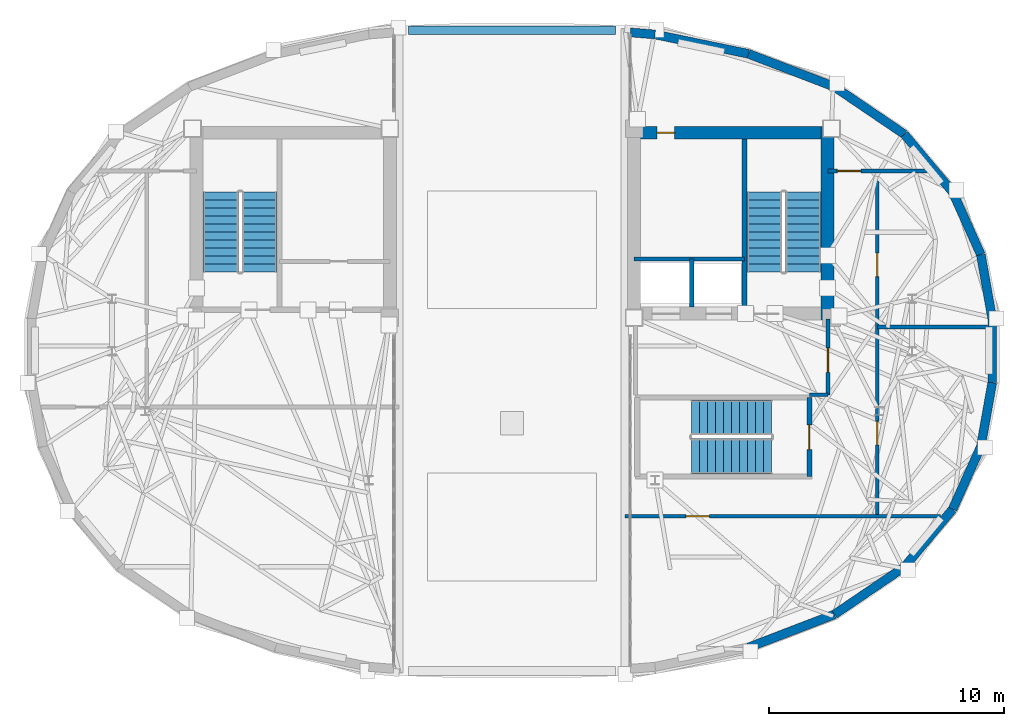
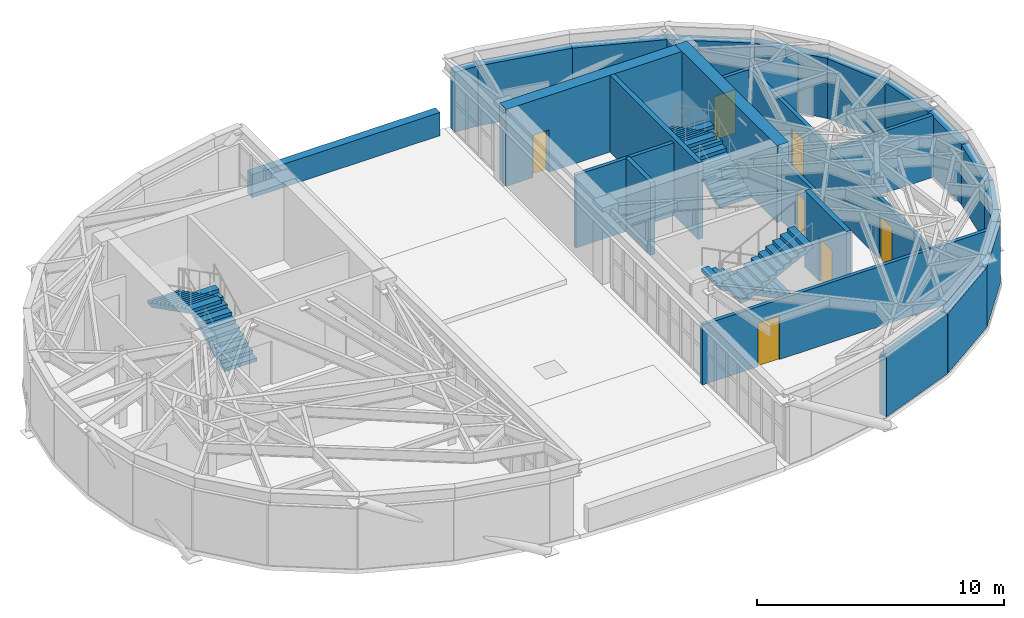
# One storey, part 10 of 13: 26 walls, 7 doors, 6 stair flights, 7 openings, 3 elements without a shape of their own.
"""IFC4 building model written with IfcOpenShell, lengths in metres."""

from ifc_helpers import new_model, si_unit, direction, frame, frame_2d, origin, place, context, subcontext, project, spatial, polyline, rectangle, outline, extrude, material, layer, layer_set, type_object, element, fill, aggregate, save


model = new_model("IFC4")

# Units and contexts
model_context = context("Model", 3, precision=1e-05, world=origin(), true_north=direction((0.0, 1.0)))
body_context = subcontext(model_context, "Body", "Model", "MODEL_VIEW")
ifc_project = project(units=[si_unit("LENGTHUNIT", "METRE"), si_unit("AREAUNIT", "SQUARE_METRE"), si_unit("VOLUMEUNIT", "CUBIC_METRE"), si_unit("PLANEANGLEUNIT", "RADIAN"), si_unit("MASSUNIT", "GRAM", prefix="KILO")], contexts=[model_context])

# Site, building, storey
site_placement = place(None, origin())
site = spatial("IfcSite", under=ifc_project, at=site_placement, CompositionType="ELEMENT")
building_placement = place(site_placement, origin())
building = spatial("IfcBuilding", under=site, at=building_placement, Name="Keldmark Tower", CompositionType="ELEMENT")
storey_placement = place(building_placement, frame((0.0, 0.0, 269.199951171875)))
storey = spatial("IfcBuildingStorey", under=building, at=storey_placement, Name="L76", CompositionType="ELEMENT", Elevation=269.199951171875)

# Walls
ifc_material_1 = material(Name="Kasota Buff Limestone Ashlar Masonry", Category="masonry")
ifc_layer_1 = layer(ifc_material_1, 0.3798828125)
ifc_layer_set_1 = layer_set([ifc_layer_1], Name="Kasota Buff Limestone Ashlar Masonry")
wall_type_1 = type_object("IfcWallType", Name="Crown Kasota Limestone Screen Wall 380 mm", PredefinedType="ELEMENTEDWALL", material=ifc_layer_set_1)
wall_1_placement = place(storey_placement, frame((10.068115234375, 12.633544921875, 0.0), z_axis=(0.0, 0.0, 1.0), x_axis=(-0.97915503901, 0.203114277148, 0.0)))
element("IfcWall", 1, at=wall_1_placement, inside=storey, type_object=wall_type_1, Name="L76 Crown Limestone Enclosure Wall E01", PredefinedType="ELEMENTEDWALL", context=body_context, shape_type="SweptSolid", body=[
    extrude(rectangle(XDim=4.062744140625, YDim=0.3798828125, at=frame_2d((2.03125, 0.0))), origin(), (0.0, 0.0, 1.0), 2.969970703125),
])
wall_2_placement = place(storey_placement, frame((13.729248046875, 11.227294921875, 0.0), z_axis=(0.0, 0.0, 1.0), x_axis=(-0.933505951982, 0.358561902068, 0.0)))
element("IfcWall", 2, at=wall_2_placement, inside=storey, type_object=wall_type_1, Name="L76 Crown Limestone Enclosure Wall E02", PredefinedType="ELEMENTEDWALL", context=body_context, shape_type="SweptSolid", body=[
    extrude(rectangle(XDim=3.921875, YDim=0.3798828125, at=frame_2d((1.9609375, 0.0))), origin(), (0.0, 0.0, 1.0), 2.969970703125),
])
wall_3_placement = place(storey_placement, frame((16.70263671875, 9.210205078125, 0.0), z_axis=(0.0, 0.0, 1.0), x_axis=(-0.827549057152, 0.56139340752, 0.0)))
element("IfcWall", 3, at=wall_3_placement, inside=storey, type_object=wall_type_1, Name="L76 Crown Limestone Enclosure Wall E03", PredefinedType="ELEMENTEDWALL", context=body_context, shape_type="SweptSolid", body=[
    extrude(rectangle(XDim=3.593017578125, YDim=0.3798828125, at=frame_2d((1.79638671875, 0.0))), origin(), (0.0, 0.0, 1.0), 2.969970703125),
])
wall_4_placement = place(storey_placement, frame((18.757568359375, 6.74755859375, 0.0), z_axis=(0.0, 0.0, 1.0), x_axis=(-0.640685893821, 0.76780309029, 0.0)))
element("IfcWall", 4, at=wall_4_placement, inside=storey, type_object=wall_type_1, Name="L76 Crown Limestone Enclosure Wall E04", PredefinedType="ELEMENTEDWALL", context=body_context, shape_type="SweptSolid", body=[
    extrude(rectangle(XDim=3.207275390625, YDim=0.3798828125, at=frame_2d((1.603515625, 0.0))), origin(), (0.0, 0.0, 1.0), 2.969970703125),
])
wall_5_placement = place(storey_placement, frame((19.958740234375, 4.08349609375, 0.0), z_axis=(0.0, 0.0, 1.0), x_axis=(-0.411031522025, 0.911621131777, 0.0)))
element("IfcWall", 5, at=wall_5_placement, inside=storey, type_object=wall_type_1, Name="L76 Crown Limestone Enclosure Wall E05", PredefinedType="ELEMENTEDWALL", context=body_context, shape_type="SweptSolid", body=[
    extrude(rectangle(XDim=2.92236328125, YDim=0.3798828125, at=frame_2d((1.461181640625, 0.0))), origin(), (0.0, 0.0, 1.0), 2.969970703125),
])
wall_6_placement = place(storey_placement, frame((20.442138671875, 1.36083984375, 0.0), z_axis=(0.0, 0.0, 1.0), x_axis=(-0.174812712861, 0.984601703951, 0.0)))
element("IfcWall", 6, at=wall_6_placement, inside=storey, type_object=wall_type_1, Name="L76 Crown Limestone Enclosure Wall E06", PredefinedType="ELEMENTEDWALL", context=body_context, shape_type="SweptSolid", body=[
    extrude(rectangle(XDim=2.76513671875, YDim=0.3798828125, at=frame_2d((1.382568359375, 0.0))), origin(), (0.0, 0.0, 1.0), 2.969970703125),
])
wall_7_placement = place(storey_placement, frame((20.442138671875, -1.36083984375, 0.0), z_axis=(0.0, 0.0, 1.0), x_axis=(0.0, 1.0, 0.0)))
element("IfcWall", 7, at=wall_7_placement, inside=storey, type_object=wall_type_1, Name="L76 Crown Limestone Enclosure Wall E07", PredefinedType="ELEMENTEDWALL", context=body_context, shape_type="SweptSolid", body=[
    extrude(rectangle(XDim=2.7216796875, YDim=0.3798828125, at=frame_2d((1.36083984375, 0.0))), origin(), (0.0, 0.0, 1.0), 2.969970703125),
])
wall_8_placement = place(storey_placement, frame((19.958740234375, -4.08349609375, 0.0), z_axis=(0.0, 0.0, 1.0), x_axis=(0.174812712861, 0.984601703951, 0.0)))
element("IfcWall", 8, at=wall_8_placement, inside=storey, type_object=wall_type_1, Name="L76 Crown Limestone Enclosure Wall E08", PredefinedType="ELEMENTEDWALL", context=body_context, shape_type="SweptSolid", body=[
    extrude(rectangle(XDim=2.76513671875, YDim=0.3798828125, at=frame_2d((1.382568359375, 0.0))), origin(), (0.0, 0.0, 1.0), 2.969970703125),
])
wall_9_placement = place(storey_placement, frame((18.757568359375, -6.74755859375, 0.0), z_axis=(0.0, 0.0, 1.0), x_axis=(0.411031522025, 0.911621131777, 0.0)))
element("IfcWall", 9, at=wall_9_placement, inside=storey, type_object=wall_type_1, Name="L76 Crown Limestone Enclosure Wall E09", PredefinedType="ELEMENTEDWALL", context=body_context, shape_type="SweptSolid", body=[
    extrude(rectangle(XDim=2.92236328125, YDim=0.3798828125, at=frame_2d((1.461181640625, 0.0))), origin(), (0.0, 0.0, 1.0), 2.969970703125),
])
wall_10_placement = place(storey_placement, frame((16.70263671875, -9.210205078125, 0.0), z_axis=(0.0, 0.0, 1.0), x_axis=(0.640685893821, 0.76780309029, 0.0)))
element("IfcWall", 10, at=wall_10_placement, inside=storey, type_object=wall_type_1, Name="L76 Crown Limestone Enclosure Wall E10", PredefinedType="ELEMENTEDWALL", context=body_context, shape_type="SweptSolid", body=[
    extrude(rectangle(XDim=3.207275390625, YDim=0.3798828125, at=frame_2d((1.603515625, 0.0))), origin(), (0.0, 0.0, 1.0), 2.969970703125),
])
wall_11_placement = place(storey_placement, frame((13.729248046875, -11.227294921875, 0.0), z_axis=(0.0, 0.0, 1.0), x_axis=(0.827549057152, 0.56139340752, 0.0)))
element("IfcWall", 11, at=wall_11_placement, inside=storey, type_object=wall_type_1, Name="L76 Crown Limestone Enclosure Wall E11", PredefinedType="ELEMENTEDWALL", context=body_context, shape_type="SweptSolid", body=[
    extrude(rectangle(XDim=3.593017578125, YDim=0.3798828125, at=frame_2d((1.79638671875, 0.0))), origin(), (0.0, 0.0, 1.0), 2.969970703125),
])
wall_12_placement = place(storey_placement, frame((10.068115234375, -12.633544921875, 0.0), z_axis=(0.0, 0.0, 1.0), x_axis=(0.933505951982, 0.358561902068, 0.0)))
element("IfcWall", 12, at=wall_12_placement, inside=storey, type_object=wall_type_1, Name="L76 Crown Limestone Enclosure Wall E12", PredefinedType="ELEMENTEDWALL", context=body_context, shape_type="SweptSolid", body=[
    extrude(rectangle(XDim=3.921875, YDim=0.3798828125, at=frame_2d((1.9609375, 0.0))), origin(), (0.0, 0.0, 1.0), 2.969970703125),
])
wall_13_placement = place(storey_placement, frame((6.090087890625, 13.458740234375, 0.0), z_axis=(0.0, 0.0, 1.0), x_axis=(-0.99666772043, 0.081568713692, 0.0)))
element("IfcWall", 13, at=wall_13_placement, inside=storey, type_object=wall_type_1, Name="L76 Crown Limestone Enclosure Wall E16", PredefinedType="ELEMENTEDWALL", context=body_context, shape_type="SweptSolid", body=[
    extrude(rectangle(XDim=1.053466796875, YDim=0.3798828125, at=frame_2d((0.52685546875, 0.0))), origin(), (0.0, 0.0, 1.0), 2.969970703125),
])
wall_14_placement = place(storey_placement, frame((4.39990234375, 13.638916015625, 0.0), z_axis=(0.0, 0.0, 1.0), x_axis=(-1.0, 0.0, 0.0)))
element("IfcWall", 14, at=wall_14_placement, inside=storey, type_object=wall_type_1, Name="L76 Crown Sky-Slot Maintenance Parapet N", PredefinedType="PARAPET", context=body_context, shape_type="SweptSolid", body=[
    extrude(rectangle(XDim=8.7998046875, YDim=0.3798828125, at=frame_2d((4.39990234375, 0.0))), origin(), (0.0, 0.0, 1.0), 1.150146484375),
])
ifc_material_2 = material(Name="Concrete C50/60", Category="concrete")
ifc_layer_2 = layer(ifc_material_2, 0.550048828125)
ifc_layer_set_2 = layer_set([ifc_layer_2], Name="Concrete C50/60")
wall_type_2 = type_object("IfcWallType", Name="High-Rise Core Shear Wall 550 mm", PredefinedType="SHEAR", material=ifc_layer_set_2)
wall_15_placement = place(storey_placement, frame((13.425048828125, 1.300048828125, 0.0), z_axis=(0.0, 0.0, 1.0), x_axis=(0.0, 1.0, 0.0)))
element("IfcWall", 15, at=wall_15_placement, inside=storey, type_object=wall_type_2, Name="L76 East Crown Core East Wall", PredefinedType="SHEAR", context=body_context, shape_type="SweptSolid", body=[
    extrude(rectangle(XDim=8.25, YDim=0.550048828125, at=frame_2d((4.125, 0.0))), origin(), (0.0, 0.0, 1.0), 3.800048828125),
])

# Wall, opening, door
wall_16_placement = place(storey_placement, frame((4.925048828125, 9.27490234375, 0.0), z_axis=(0.0, 0.0, 1.0), x_axis=(1.0, 0.0, 0.0)))
wall_16 = element("IfcWall", 16, at=wall_16_placement, inside=storey, type_object=wall_type_2, Name="L76 East Crown Core North Wall", PredefinedType="SHEAR", context=body_context, shape_type="SweptSolid", body=[
    extrude(rectangle(XDim=8.77490234375, YDim=0.550048828125, at=frame_2d((4.387451171875, 0.0))), origin(), (0.0, 0.0, 1.0), 3.800048828125),
])
opening_1_placement = place(wall_16_placement, frame((1.25, 0.0, 0.0)))
opening_1 = element("IfcOpeningElement", 17, at=opening_1_placement, cuts=wall_16, Name="Opening D-RS075", PredefinedType="OPENING", context=body_context, shape_type="SweptSolid", body=[
    extrude(rectangle(XDim=0.75, YDim=2.10009765625, at=frame_2d((0.375, 1.050048828125))), frame((0.0, 0.284912109375, 0.0), z_axis=(0.0, -1.0, 0.0), x_axis=(1.0, 0.0, 0.0)), (0.0, 0.0, 1.0), 0.570068359375),
])
ifc_material_3 = material(Name="Galvanized Fire-Rated Access Leaf", Category="metal")
door_type_1 = type_object("IfcDoorType", Name="Riser Access Door 750x2100", OperationType="NOTDEFINED", PredefinedType="DOOR", material=ifc_material_3)
door_1_placement = place(opening_1_placement, origin())
door_1 = element("IfcDoor", 18, at=door_1_placement, inside=storey, type_object=door_type_1, Name="L76 Riser Access Door 750x2100 D-EC-RIS-L76", OperationType="SINGLE_SWING_RIGHT", OverallHeight=2.10009765625, OverallWidth=0.75, PredefinedType="DOOR", context=body_context, shape_type="SweptSolid", body=[
    extrude(rectangle(XDim=0.75, YDim=2.10009765625, at=frame_2d((0.375, 1.050048828125))), frame((0.0, 0.02490234375, 0.0), z_axis=(0.0, -1.0, 0.0), x_axis=(1.0, 0.0, 0.0)), (0.0, 0.0, 1.0), 0.050048828125),
])
fill(opening_1, door_1)

# Wall
ifc_material_4 = material(Name="Type X Fire-Rated Gypsum Partition Assembly", Category="gypsum")
ifc_layer_3 = layer(ifc_material_4, 0.1650390625)
ifc_layer_set_3 = layer_set([ifc_layer_3], Name="Type X Fire-Rated Gypsum Partition Assembly")
wall_type_3 = type_object("IfcWallType", Name="Rated Partition 165 mm", PredefinedType="PARTITIONING", material=ifc_layer_set_3)
wall_17_placement = place(storey_placement, frame((5.199951171875, 3.89990234375, 0.0), z_axis=(0.0, 0.0, 1.0), x_axis=(1.0, 0.0, 0.0)))
element("IfcWall", 19, at=wall_17_placement, inside=storey, type_object=wall_type_3, Name="L76 Rated Partition 165 mm EC-SV-N", PredefinedType="PARTITIONING", context=body_context, shape_type="SweptSolid", body=[
    extrude(rectangle(XDim=4.68994140625, YDim=0.1650390625, at=frame_2d((2.344970703125, 0.0))), origin(), (0.0, 0.0, 1.0), 3.60009765625),
])

# Wall, opening, door
wall_18_placement = place(storey_placement, frame((13.449951171875, -1.8798828125, 0.0), z_axis=(0.0, 0.0, 1.0), x_axis=(0.0, 1.0, 0.0)))
wall_18 = element("IfcWall", 20, at=wall_18_placement, inside=storey, type_object=wall_type_3, Name="L76 Rated Partition 165 mm EC-FSAE-E", PredefinedType="PARTITIONING", context=body_context, shape_type="SweptSolid", body=[
    extrude(rectangle(XDim=3.22998046875, YDim=0.1650390625, at=frame_2d((1.614990234375, 0.0))), origin(), (0.0, 0.0, 1.0), 3.06103515625),
])
opening_2_placement = place(wall_18_placement, frame((0.949951171875, 0.0, 0.0)))
opening_2 = element("IfcOpeningElement", 21, at=opening_2_placement, cuts=wall_18, Name="Opening D-FL105", PredefinedType="OPENING", context=body_context, shape_type="SweptSolid", body=[
    extrude(rectangle(XDim=1.050048828125, YDim=2.14990234375, at=frame_2d((0.52490234375, 1.074951171875))), frame((0.0, 0.092529296875, 0.0), z_axis=(0.0, -1.0, 0.0), x_axis=(1.0, 0.0, 0.0)), (0.0, 0.0, 1.0), 0.18505859375),
])
ifc_material_5 = material(Name="Fire-Rated Mineral-Core Door and Vision Lite", Category="metal")
door_type_2 = type_object("IfcDoorType", Name="Fire Lobby Door 1050x2150", OperationType="NOTDEFINED", PredefinedType="DOOR", material=ifc_material_5)
door_2_placement = place(opening_2_placement, origin())
door_2 = element("IfcDoor", 22, at=door_2_placement, inside=storey, type_object=door_type_2, Name="L76 Fire Lobby Door 1050x2150 D-ECFSAE-E-L76", OperationType="SINGLE_SWING_LEFT", OverallHeight=2.14990234375, OverallWidth=1.050048828125, PredefinedType="DOOR", context=body_context, shape_type="SweptSolid", body=[
    extrude(rectangle(XDim=1.050048828125, YDim=2.14990234375, at=frame_2d((0.52490234375, 1.074951171875))), frame((0.0, 0.02490234375, 0.0), z_axis=(0.0, -1.0, 0.0), x_axis=(1.0, 0.0, 0.0)), (0.0, 0.0, 1.0), 0.050048828125),
])
fill(opening_2, door_2)

# Wall
wall_19_placement = place(storey_placement, frame((12.659912109375, -1.8798828125, 0.0), z_axis=(0.0, 0.0, 1.0), x_axis=(1.0, 0.0, 0.0)))
element("IfcWall", 23, at=wall_19_placement, inside=storey, type_object=wall_type_3, Name="L76 Rated Partition 165 mm EC-FSAE-S", PredefinedType="PARTITIONING", context=body_context, shape_type="SweptSolid", body=[
    extrude(rectangle(XDim=0.7900390625, YDim=0.1650390625, at=frame_2d((0.39501953125, 0.0))), origin(), (0.0, 0.0, 1.0), 3.06103515625),
])

# Wall, openings, doors
wall_20_placement = place(storey_placement, frame((15.550048828125, -7.050048828125, 0.0), z_axis=(0.0, 0.0, 1.0), x_axis=(0.0, 1.0, 0.0)))
wall_20 = element("IfcWall", 24, at=wall_20_placement, inside=storey, type_object=wall_type_3, Name="L76 Rated Partition 165 mm EC-ECOR-E", PredefinedType="PARTITIONING", context=body_context, shape_type="SweptSolid", body=[
    extrude(rectangle(XDim=14.699951171875, YDim=0.1650390625, at=frame_2d((7.35009765625, 0.0))), origin(), (0.0, 0.0, 1.0), 2.987060546875),
])
opening_3_placement = place(wall_20_placement, frame((3.0400390625, 0.0, 0.0)))
opening_3 = element("IfcOpeningElement", 25, at=opening_3_placement, cuts=wall_20, Name="Opening D-FD100", PredefinedType="OPENING", context=body_context, shape_type="SweptSolid", body=[
    extrude(rectangle(XDim=1.0, YDim=2.14990234375, at=frame_2d((0.5, 1.074951171875))), frame((0.0, 0.092529296875, 0.0), z_axis=(0.0, -1.0, 0.0), x_axis=(1.0, 0.0, 0.0)), (0.0, 0.0, 1.0), 0.18505859375),
])
opening_4_placement = place(wall_20_placement, frame((10.199951171875, 0.0, 0.0)))
opening_4 = element("IfcOpeningElement", 26, at=opening_4_placement, cuts=wall_20, Name="Opening D-FD100", PredefinedType="OPENING", context=body_context, shape_type="SweptSolid", body=[
    extrude(rectangle(XDim=1.0, YDim=2.14990234375, at=frame_2d((0.5, 1.074951171875))), frame((0.0, 0.092529296875, 0.0), z_axis=(0.0, -1.0, 0.0), x_axis=(1.0, 0.0, 0.0)), (0.0, 0.0, 1.0), 0.18505859375),
])
ifc_material_6 = material(Name="Hollow Metal Fire-Rated Corridor Door", Category="metal")
door_type_3 = type_object("IfcDoorType", Name="Fire Door 1000x2150", OperationType="NOTDEFINED", PredefinedType="DOOR", material=ifc_material_6)
door_3_placement = place(opening_3_placement, origin())
door_3 = element("IfcDoor", 27, at=door_3_placement, inside=storey, type_object=door_type_3, Name="L76 Fire Door 1000x2150 D-ECPE1-L76", OperationType="SINGLE_SWING_LEFT", OverallHeight=2.14990234375, OverallWidth=1.0, PredefinedType="DOOR", context=body_context, shape_type="SweptSolid", body=[
    extrude(rectangle(XDim=1.0, YDim=2.14990234375, at=frame_2d((0.5, 1.074951171875))), frame((0.0, 0.02490234375, 0.0), z_axis=(0.0, -1.0, 0.0), x_axis=(1.0, 0.0, 0.0)), (0.0, 0.0, 1.0), 0.050048828125),
])
fill(opening_3, door_3)
door_4_placement = place(opening_4_placement, origin())
door_4 = element("IfcDoor", 28, at=door_4_placement, inside=storey, type_object=door_type_3, Name="L76 Fire Door 1000x2150 D-ECPE2-L76", OperationType="SINGLE_SWING_RIGHT", OverallHeight=2.14990234375, OverallWidth=1.0, PredefinedType="DOOR", context=body_context, shape_type="SweptSolid", body=[
    extrude(rectangle(XDim=1.0, YDim=2.14990234375, at=frame_2d((0.5, 1.074951171875))), frame((0.0, 0.02490234375, 0.0), z_axis=(0.0, -1.0, 0.0), x_axis=(1.0, 0.0, 0.0)), (0.0, 0.0, 1.0), 0.050048828125),
])
fill(opening_4, door_4)

# Wall, opening, door
wall_21_placement = place(storey_placement, frame((4.800048828125, -7.050048828125, 0.0), z_axis=(0.0, 0.0, 1.0), x_axis=(1.0, 0.0, 0.0)))
wall_21 = element("IfcWall", 29, at=wall_21_placement, inside=storey, type_object=wall_type_3, Name="L76 Rated Partition 165 mm EC-SCOR-S", PredefinedType="PARTITIONING", context=body_context, shape_type="SweptSolid", body=[
    extrude(rectangle(XDim=13.447265625, YDim=0.1650390625, at=frame_2d((6.7236328125, 0.0))), origin(), (0.0, 0.0, 1.0), 2.968017578125),
])
opening_5_placement = place(wall_21_placement, frame((2.60009765625, 0.0, 0.0)))
opening_5 = element("IfcOpeningElement", 30, at=opening_5_placement, cuts=wall_21, Name="Opening D-FD100", PredefinedType="OPENING", context=body_context, shape_type="SweptSolid", body=[
    extrude(rectangle(XDim=1.0, YDim=2.14990234375, at=frame_2d((0.5, 1.074951171875))), frame((0.0, 0.092529296875, 0.0), z_axis=(0.0, -1.0, 0.0), x_axis=(1.0, 0.0, 0.0)), (0.0, 0.0, 1.0), 0.18505859375),
])
door_5_placement = place(opening_5_placement, origin())
door_5 = element("IfcDoor", 31, at=door_5_placement, inside=storey, type_object=door_type_3, Name="L76 Fire Door 1000x2150 D-ECPS-L76", OperationType="SINGLE_SWING_RIGHT", OverallHeight=2.14990234375, OverallWidth=1.0, PredefinedType="DOOR", context=body_context, shape_type="SweptSolid", body=[
    extrude(rectangle(XDim=1.0, YDim=2.14990234375, at=frame_2d((0.5, 1.074951171875))), frame((0.0, 0.02490234375, 0.0), z_axis=(0.0, -1.0, 0.0), x_axis=(1.0, 0.0, 0.0)), (0.0, 0.0, 1.0), 0.050048828125),
])
fill(opening_5, door_5)

wall_22_placement = place(storey_placement, frame((13.449951171875, 7.64990234375, 0.0), z_axis=(0.0, 0.0, 1.0), x_axis=(1.0, 0.0, 0.0)))
wall_22 = element("IfcWall", 32, at=wall_22_placement, inside=storey, type_object=wall_type_3, Name="L76 Rated Partition 165 mm EC-NCAP", PredefinedType="PARTITIONING", context=body_context, shape_type="SweptSolid", body=[
    extrude(rectangle(XDim=4.296630859375, YDim=0.1650390625, at=frame_2d((2.1484375, 0.0))), origin(), (0.0, 0.0, 1.0), 2.968017578125),
])
opening_6_placement = place(wall_22_placement, frame((0.39990234375, 0.0, 0.0)))
opening_6 = element("IfcOpeningElement", 33, at=opening_6_placement, cuts=wall_22, Name="Opening D-FD100", PredefinedType="OPENING", context=body_context, shape_type="SweptSolid", body=[
    extrude(rectangle(XDim=1.0, YDim=2.14990234375, at=frame_2d((0.5, 1.074951171875))), frame((0.0, 0.092529296875, 0.0), z_axis=(0.0, -1.0, 0.0), x_axis=(1.0, 0.0, 0.0)), (0.0, 0.0, 1.0), 0.18505859375),
])
door_6_placement = place(opening_6_placement, origin())
door_6 = element("IfcDoor", 34, at=door_6_placement, inside=storey, type_object=door_type_3, Name="L76 Fire Door 1000x2150 D-ECPN-L76", OperationType="SINGLE_SWING_LEFT", OverallHeight=2.14990234375, OverallWidth=1.0, PredefinedType="DOOR", context=body_context, shape_type="SweptSolid", body=[
    extrude(rectangle(XDim=1.0, YDim=2.14990234375, at=frame_2d((0.5, 1.074951171875))), frame((0.0, 0.02490234375, 0.0), z_axis=(0.0, -1.0, 0.0), x_axis=(1.0, 0.0, 0.0)), (0.0, 0.0, 1.0), 0.050048828125),
])
fill(opening_6, door_6)

# Walls
wall_23_placement = place(storey_placement, frame((15.550048828125, 1.0, 0.0), z_axis=(0.0, 0.0, 1.0), x_axis=(1.0, 0.0, 0.0)))
element("IfcWall", 35, at=wall_23_placement, inside=storey, type_object=wall_type_3, Name="L76 Rated Partition 165 mm EC-EDIV", PredefinedType="PARTITIONING", context=body_context, shape_type="SweptSolid", body=[
    extrude(rectangle(XDim=4.694091796875, YDim=0.1650390625, at=frame_2d((2.34716796875, 0.0))), origin(), (0.0, 0.0, 1.0), 3.06103515625),
])
ifc_material_7 = material(Name="Fire-Resistant Type X Gypsum Shaftliner Coreboard", Category="gypsum")
ifc_layer_4 = layer(ifc_material_7, 0.199951171875)
ifc_layer_set_4 = layer_set([ifc_layer_4], Name="Fire-Resistant Type X Gypsum Shaftliner Coreboard")
wall_type_4 = type_object("IfcWallType", Name="Shaft Wall 200 mm", PredefinedType="SOLIDWALL", material=ifc_layer_set_4)
wall_24_placement = place(storey_placement, frame((7.64990234375, 1.85009765625, 0.0), z_axis=(0.0, 0.0, 1.0), x_axis=(0.0, 1.0, 0.0)))
element("IfcWall", 36, at=wall_24_placement, inside=storey, type_object=wall_type_4, Name="L76 Shaft Wall 200 mm EC-DIV", PredefinedType="SOLIDWALL", context=body_context, shape_type="SweptSolid", body=[
    extrude(rectangle(XDim=2.0498046875, YDim=0.199951171875, at=frame_2d((1.02490234375, 0.0))), origin(), (0.0, 0.0, 1.0), 3.60009765625),
])
ifc_material_8 = material(Name="Concrete C50/60", Category="concrete")
ifc_layer_5 = layer(ifc_material_8, 0.219970703125)
ifc_layer_set_5 = layer_set([ifc_layer_5], Name="Concrete C50/60")
wall_type_5 = type_object("IfcWallType", Name="Stair Core Shear Wall 220 mm", PredefinedType="SHEAR", material=ifc_layer_set_5)
wall_25_placement = place(storey_placement, frame((9.889892578125, 1.85009765625, 0.0), z_axis=(0.0, 0.0, 1.0), x_axis=(0.0, 1.0, 0.0)))
element("IfcWall", 37, at=wall_25_placement, inside=storey, type_object=wall_type_5, Name="L76 East Stair Core Shear Wall", PredefinedType="SHEAR", context=body_context, shape_type="SweptSolid", body=[
    extrude(rectangle(XDim=7.14990234375, YDim=0.219970703125, at=frame_2d((3.574951171875, 0.0))), origin(), (0.0, 0.0, 1.0), 3.800048828125),
])

# Wall, opening, door
wall_26_placement = place(storey_placement, frame((12.659912109375, -5.360107421875, 0.0), z_axis=(0.0, 0.0, 1.0), x_axis=(0.0, 1.0, 0.0)))
wall_26 = element("IfcWall", 38, at=wall_26_placement, inside=storey, type_object=wall_type_5, Name="L76 East Crown Stair ST4 East Wall", PredefinedType="SHEAR", context=body_context, shape_type="SweptSolid", body=[
    extrude(rectangle(XDim=3.3701171875, YDim=0.219970703125, at=frame_2d((1.68505859375, 0.0))), origin(), (0.0, 0.0, 1.0), 3.800048828125),
])
opening_7_placement = place(wall_26_placement, frame((1.14990234375, 0.0, 0.0)))
opening_7 = element("IfcOpeningElement", 39, at=opening_7_placement, cuts=wall_26, Name="Opening D-ST105", PredefinedType="OPENING", context=body_context, shape_type="SweptSolid", body=[
    extrude(rectangle(XDim=1.050048828125, YDim=2.14990234375, at=frame_2d((0.52490234375, 1.074951171875))), frame((0.0, 0.119873046875, 0.0), z_axis=(0.0, -1.0, 0.0), x_axis=(1.0, 0.0, 0.0)), (0.0, 0.0, 1.0), 0.239990234375),
])
ifc_material_9 = material(Name="Hollow Metal Fire-Rated Door Assembly", Category="metal")
door_type_4 = type_object("IfcDoorType", Name="Stair Fire Door 1050x2150", OperationType="NOTDEFINED", PredefinedType="DOOR", material=ifc_material_9)
door_7_placement = place(opening_7_placement, origin())
door_7 = element("IfcDoor", 40, at=door_7_placement, inside=storey, type_object=door_type_4, Name="L76 Stair Fire Door 1050x2150 D-ST4-L76", OperationType="SINGLE_SWING_LEFT", OverallHeight=2.14990234375, OverallWidth=1.050048828125, PredefinedType="DOOR", context=body_context, shape_type="SweptSolid", body=[
    extrude(rectangle(XDim=1.050048828125, YDim=2.14990234375, at=frame_2d((0.52490234375, 1.074951171875))), frame((0.0, 0.02490234375, 0.0), z_axis=(0.0, -1.0, 0.0), x_axis=(1.0, 0.0, 0.0)), (0.0, 0.0, 1.0), 0.050048828125),
])
fill(opening_7, door_7)

# Stair, stair flights
ifc_material_10 = material(Name="Concrete C40/50", Category="concrete")
stair_type = type_object("IfcStairType", Name="Precast Concrete Core Exit Stair", PredefinedType="HALF_TURN_STAIR", material=ifc_material_10)
stair_1_placement = place(storey_placement, origin())
stair_1 = element("IfcStair", 41, at=stair_1_placement, inside=storey, type_object=stair_type, Name="L76 Exit Stair ST1", PredefinedType="HALF_TURN_STAIR")
ifc_material_11 = material(Name="Concrete C40/50", Category="concrete")
stair_flight_type = type_object("IfcStairFlightType", Name="Precast Concrete Stair Flight 1500 mm", PredefinedType="STRAIGHT", material=ifc_material_11)
stair_flight_1_placement = place(storey_placement, frame((-10.75, 3.35009765625, 0.0), z_axis=(0.0, 0.0, 1.0), x_axis=(0.0, 1.0, 0.0)))
stair_flight_1 = element("IfcStairFlight", 42, at=stair_flight_1_placement, type_object=stair_flight_type, Name="ST1 flight 1", NumberOfRisers=11, NumberOfTreads=10, PredefinedType="STRAIGHT", RiserHeight=0.172727273, TreadLength=0.34, context=body_context, shape_type="SweptSolid", body=[
    extrude(outline(polyline([(0.0, 0.0), (0.0, 0.172607421875), (0.340087890625, 0.172607421875), (0.340087890625, 0.345458984375), (0.679931640625, 0.345458984375), (0.679931640625, 0.51806640625), (1.02001953125, 0.51806640625), (1.02001953125, 0.69091796875), (1.360107421875, 0.69091796875), (1.360107421875, 0.863525390625), (1.699951171875, 0.863525390625), (1.699951171875, 1.036376953125), (2.0400390625, 1.036376953125), (2.0400390625, 1.208984375), (2.3798828125, 1.208984375), (2.3798828125, 1.3818359375), (2.719970703125, 1.3818359375), (2.719970703125, 1.554443359375), (3.06005859375, 1.554443359375), (3.06005859375, 1.727294921875), (3.39990234375, 1.727294921875), (3.39990234375, 1.89990234375), (3.39990234375, 1.55908203125), (0.3310546875, 0.0), (0.0, 0.0)])), frame((0.0, 0.75, 0.0), z_axis=(0.0, -1.0, 0.0), x_axis=(1.0, 0.0, 0.0)), (0.0, 0.0, 1.0), 1.5),
])
stair_flight_2_placement = place(storey_placement, frame((-12.39990234375, 6.75, 1.900146484375), z_axis=(0.0, 0.0, 1.0), x_axis=(0.0, -1.0, 0.0)))
stair_flight_2 = element("IfcStairFlight", 43, at=stair_flight_2_placement, type_object=stair_flight_type, Name="ST1 flight 2", NumberOfRisers=11, NumberOfTreads=10, PredefinedType="STRAIGHT", RiserHeight=0.172727273, TreadLength=0.34, context=body_context, shape_type="SweptSolid", body=[
    extrude(outline(polyline([(0.0, 0.0), (0.0, 0.172607421875), (0.340087890625, 0.172607421875), (0.340087890625, 0.345458984375), (0.679931640625, 0.345458984375), (0.679931640625, 0.51806640625), (1.02001953125, 0.51806640625), (1.02001953125, 0.69091796875), (1.360107421875, 0.69091796875), (1.360107421875, 0.863525390625), (1.699951171875, 0.863525390625), (1.699951171875, 1.036376953125), (2.0400390625, 1.036376953125), (2.0400390625, 1.208984375), (2.3798828125, 1.208984375), (2.3798828125, 1.3818359375), (2.719970703125, 1.3818359375), (2.719970703125, 1.554443359375), (3.06005859375, 1.554443359375), (3.06005859375, 1.727294921875), (3.39990234375, 1.727294921875), (3.39990234375, 1.89990234375), (3.39990234375, 1.55908203125), (0.3310546875, 0.0), (0.0, 0.0)])), frame((0.0, 0.75, 0.0), z_axis=(0.0, -1.0, 0.0), x_axis=(1.0, 0.0, 0.0)), (0.0, 0.0, 1.0), 1.5),
])
aggregate(stair_1, [stair_flight_1, stair_flight_2])

stair_2_placement = place(storey_placement, origin())
stair_2 = element("IfcStair", 44, at=stair_2_placement, inside=storey, type_object=stair_type, Name="L76 Exit Stair ST2", PredefinedType="HALF_TURN_STAIR")
stair_flight_3_placement = place(storey_placement, frame((12.39990234375, 3.35009765625, 0.0), z_axis=(0.0, 0.0, 1.0), x_axis=(0.0, 1.0, 0.0)))
stair_flight_3 = element("IfcStairFlight", 45, at=stair_flight_3_placement, type_object=stair_flight_type, Name="ST2 flight 1", NumberOfRisers=11, NumberOfTreads=10, PredefinedType="STRAIGHT", RiserHeight=0.172727273, TreadLength=0.34, context=body_context, shape_type="SweptSolid", body=[
    extrude(outline(polyline([(0.0, 0.0), (0.0, 0.172607421875), (0.340087890625, 0.172607421875), (0.340087890625, 0.345458984375), (0.679931640625, 0.345458984375), (0.679931640625, 0.51806640625), (1.02001953125, 0.51806640625), (1.02001953125, 0.69091796875), (1.360107421875, 0.69091796875), (1.360107421875, 0.863525390625), (1.699951171875, 0.863525390625), (1.699951171875, 1.036376953125), (2.0400390625, 1.036376953125), (2.0400390625, 1.208984375), (2.3798828125, 1.208984375), (2.3798828125, 1.3818359375), (2.719970703125, 1.3818359375), (2.719970703125, 1.554443359375), (3.06005859375, 1.554443359375), (3.06005859375, 1.727294921875), (3.39990234375, 1.727294921875), (3.39990234375, 1.89990234375), (3.39990234375, 1.55908203125), (0.3310546875, 0.0), (0.0, 0.0)])), frame((0.0, 0.75, 0.0), z_axis=(0.0, -1.0, 0.0), x_axis=(1.0, 0.0, 0.0)), (0.0, 0.0, 1.0), 1.5),
])
stair_flight_4_placement = place(storey_placement, frame((10.75, 6.75, 1.900146484375), z_axis=(0.0, 0.0, 1.0), x_axis=(0.0, -1.0, 0.0)))
stair_flight_4 = element("IfcStairFlight", 46, at=stair_flight_4_placement, type_object=stair_flight_type, Name="ST2 flight 2", NumberOfRisers=11, NumberOfTreads=10, PredefinedType="STRAIGHT", RiserHeight=0.172727273, TreadLength=0.34, context=body_context, shape_type="SweptSolid", body=[
    extrude(outline(polyline([(0.0, 0.0), (0.0, 0.172607421875), (0.340087890625, 0.172607421875), (0.340087890625, 0.345458984375), (0.679931640625, 0.345458984375), (0.679931640625, 0.51806640625), (1.02001953125, 0.51806640625), (1.02001953125, 0.69091796875), (1.360107421875, 0.69091796875), (1.360107421875, 0.863525390625), (1.699951171875, 0.863525390625), (1.699951171875, 1.036376953125), (2.0400390625, 1.036376953125), (2.0400390625, 1.208984375), (2.3798828125, 1.208984375), (2.3798828125, 1.3818359375), (2.719970703125, 1.3818359375), (2.719970703125, 1.554443359375), (3.06005859375, 1.554443359375), (3.06005859375, 1.727294921875), (3.39990234375, 1.727294921875), (3.39990234375, 1.89990234375), (3.39990234375, 1.55908203125), (0.3310546875, 0.0), (0.0, 0.0)])), frame((0.0, 0.75, 0.0), z_axis=(0.0, -1.0, 0.0), x_axis=(1.0, 0.0, 0.0)), (0.0, 0.0, 1.0), 1.5),
])
aggregate(stair_2, [stair_flight_3, stair_flight_4])

stair_3_placement = place(storey_placement, origin())
stair_3 = element("IfcStair", 47, at=stair_3_placement, inside=storey, type_object=stair_type, Name="L76 East Crown Exit Stair ST4", PredefinedType="HALF_TURN_STAIR")
stair_flight_5_placement = place(storey_placement, frame((11.050048828125, -2.85009765625, 0.0), z_axis=(0.0, 0.0, 1.0), x_axis=(-1.0, 0.0, 0.0)))
stair_flight_5 = element("IfcStairFlight", 48, at=stair_flight_5_placement, type_object=stair_flight_type, Name="ST4 flight 1", NumberOfRisers=11, NumberOfTreads=10, PredefinedType="STRAIGHT", RiserHeight=0.172727273, TreadLength=0.34, context=body_context, shape_type="SweptSolid", body=[
    extrude(outline(polyline([(0.0, 0.0), (0.0, 0.172607421875), (0.340087890625, 0.172607421875), (0.340087890625, 0.345458984375), (0.679931640625, 0.345458984375), (0.679931640625, 0.51806640625), (1.02001953125, 0.51806640625), (1.02001953125, 0.69091796875), (1.360107421875, 0.69091796875), (1.360107421875, 0.863525390625), (1.699951171875, 0.863525390625), (1.699951171875, 1.036376953125), (2.0400390625, 1.036376953125), (2.0400390625, 1.208984375), (2.3798828125, 1.208984375), (2.3798828125, 1.3818359375), (2.719970703125, 1.3818359375), (2.719970703125, 1.554443359375), (3.06005859375, 1.554443359375), (3.06005859375, 1.727294921875), (3.39990234375, 1.727294921875), (3.39990234375, 1.89990234375), (3.39990234375, 1.55908203125), (0.3310546875, 0.0), (0.0, 0.0)])), frame((0.0, 0.75, 0.0), z_axis=(0.0, -1.0, 0.0), x_axis=(1.0, 0.0, 0.0)), (0.0, 0.0, 1.0), 1.5),
])
stair_flight_6_placement = place(storey_placement, frame((7.64990234375, -4.5, 1.900146484375), z_axis=(0.0, 0.0, 1.0), x_axis=(1.0, 0.0, 0.0)))
stair_flight_6 = element("IfcStairFlight", 49, at=stair_flight_6_placement, type_object=stair_flight_type, Name="ST4 flight 2", NumberOfRisers=11, NumberOfTreads=10, PredefinedType="STRAIGHT", RiserHeight=0.172727273, TreadLength=0.34, context=body_context, shape_type="SweptSolid", body=[
    extrude(outline(polyline([(0.0, 0.0), (0.0, 0.172607421875), (0.340087890625, 0.172607421875), (0.340087890625, 0.345458984375), (0.679931640625, 0.345458984375), (0.679931640625, 0.51806640625), (1.02001953125, 0.51806640625), (1.02001953125, 0.69091796875), (1.360107421875, 0.69091796875), (1.360107421875, 0.863525390625), (1.699951171875, 0.863525390625), (1.699951171875, 1.036376953125), (2.0400390625, 1.036376953125), (2.0400390625, 1.208984375), (2.3798828125, 1.208984375), (2.3798828125, 1.3818359375), (2.719970703125, 1.3818359375), (2.719970703125, 1.554443359375), (3.06005859375, 1.554443359375), (3.06005859375, 1.727294921875), (3.39990234375, 1.727294921875), (3.39990234375, 1.89990234375), (3.39990234375, 1.55908203125), (0.3310546875, 0.0), (0.0, 0.0)])), frame((0.0, 0.75, 0.0), z_axis=(0.0, -1.0, 0.0), x_axis=(1.0, 0.0, 0.0)), (0.0, 0.0, 1.0), 1.5),
])
aggregate(stair_3, [stair_flight_5, stair_flight_6])

save(model, "model.ifc")
